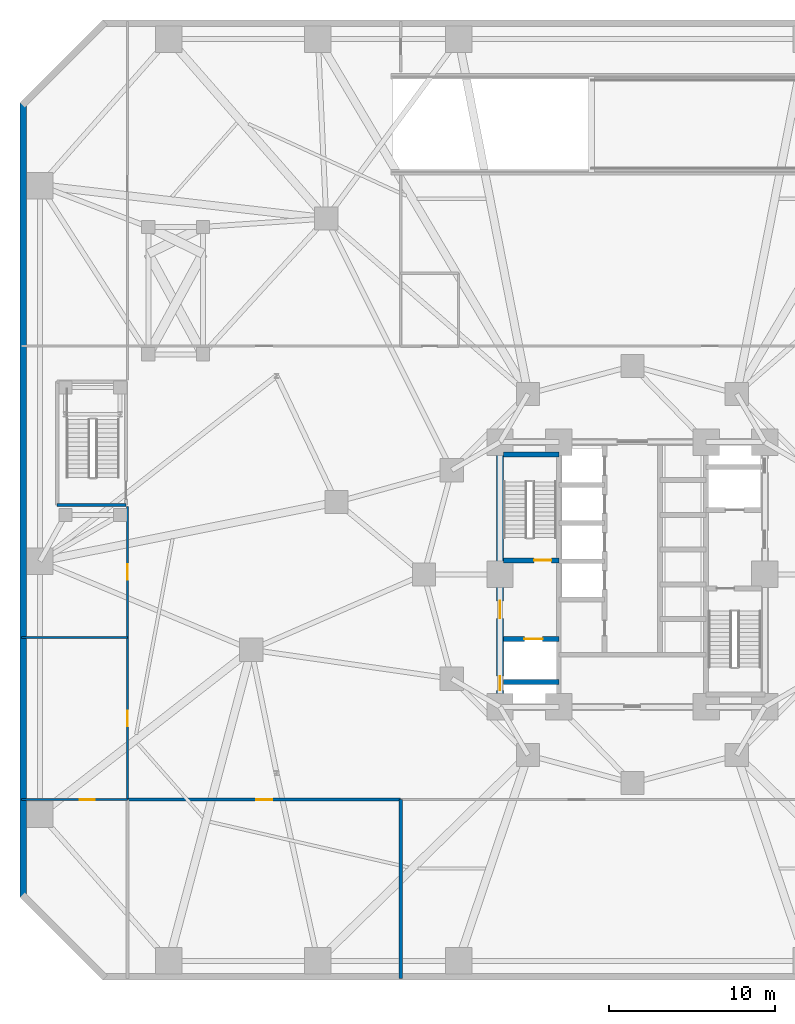
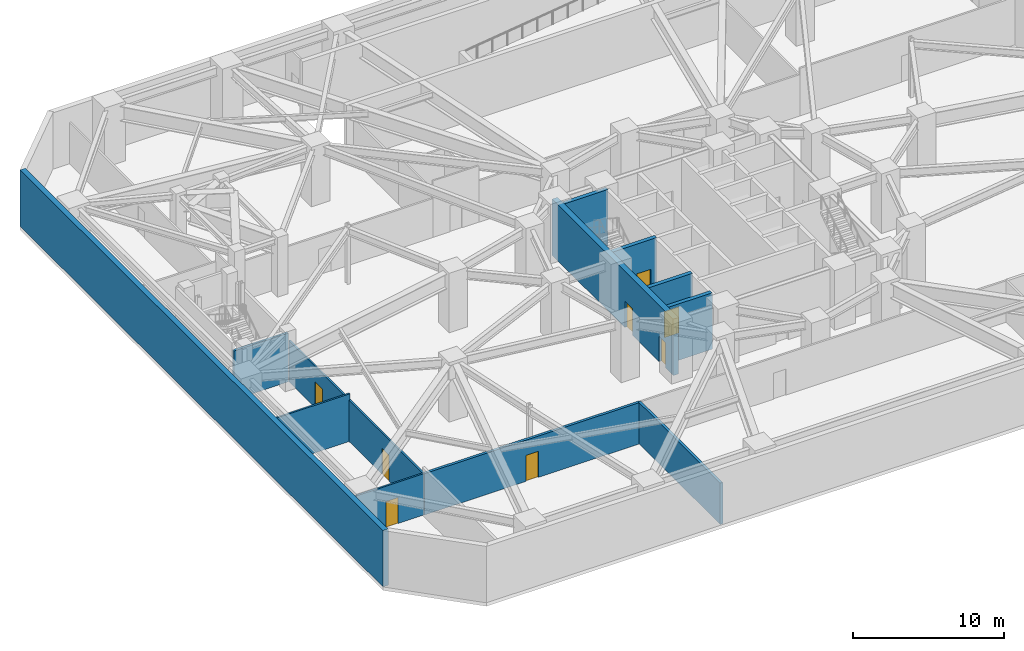
# One storey, part 11 of 18: 13 walls, 8 doors, 8 openings.
"""IFC4 building model written with IfcOpenShell, lengths in metres."""

from ifc_helpers import new_model, si_unit, direction, frame, frame_2d, origin, place, context, subcontext, project, spatial, rectangle, extrude, material, layer, layer_set, type_object, element, fill, save


model = new_model("IFC4")

# Units and contexts
model_context = context("Model", 3, precision=1e-05, world=origin(), true_north=direction((0.0, 1.0)))
body_context = subcontext(model_context, "Body", "Model", "MODEL_VIEW")
ifc_project = project(units=[si_unit("LENGTHUNIT", "METRE"), si_unit("AREAUNIT", "SQUARE_METRE"), si_unit("VOLUMEUNIT", "CUBIC_METRE"), si_unit("PLANEANGLEUNIT", "RADIAN"), si_unit("MASSUNIT", "GRAM", prefix="KILO")], contexts=[model_context])

# Site, building, storey
site_placement = place(None, origin())
site = spatial("IfcSite", under=ifc_project, at=site_placement, CompositionType="ELEMENT")
building_placement = place(site_placement, origin())
building = spatial("IfcBuilding", under=site, at=building_placement, Name="Terralouvre Media Tower", CompositionType="ELEMENT")
storey_placement = place(building_placement, frame((0.0, 0.0, -4.800048828125)))
storey = spatial("IfcBuildingStorey", under=building, at=storey_placement, Name="B01", CompositionType="ELEMENT", Elevation=-4.800048828125)

# Wall
ifc_material_1 = material(Name="Concrete C50/60", Category="concrete")
ifc_layer_1 = layer(ifc_material_1, 0.39990234375, Name="Basement Perimeter Retaining Wall EW-RC400")
ifc_layer_set_1 = layer_set([ifc_layer_1], Name="Concrete C50/60")
wall_type_1 = type_object("IfcWallType", Name="Basement Perimeter Retaining Wall EW-RC400", PredefinedType="USERDEFINED", material=ifc_layer_set_1)
wall_1_placement = place(storey_placement, frame((-36.800048828125, 28.5, 0.0), z_axis=(0.0, 0.0, 1.0), x_axis=(0.0, -1.0, 0.0)))
element("IfcWall", 1, at=wall_1_placement, inside=storey, type_object=wall_type_1, Name="B01 Perimeter Retaining Wall 07", ObjectType="RETAINING", PredefinedType="USERDEFINED", context=body_context, shape_type="SweptSolid", body=[
    extrude(rectangle(XDim=48.0, YDim=0.39990234375, at=frame_2d((24.0, 0.0))), origin(), (0.0, 0.0, 1.0), 4.550048828125),
])

# Wall, opening, door
ifc_material_2 = material(Name="Concrete C50/60", Category="concrete")
ifc_layer_2 = layer(ifc_material_2, 0.300048828125, Name="Core Internal Shaft Wall CW-300")
ifc_layer_set_2 = layer_set([ifc_layer_2], Name="Concrete C50/60")
wall_type_2 = type_object("IfcWallType", Name="Core Internal Shaft Wall CW-300", PredefinedType="SHEAR", material=ifc_layer_set_2)
wall_2_placement = place(storey_placement, frame((-7.7900390625, 0.85009765625, 0.0), z_axis=(0.0, 0.0, 1.0), x_axis=(1.0, 0.0, 0.0)))
wall_2 = element("IfcWall", 2, at=wall_2_placement, inside=storey, type_object=wall_type_2, Name="B01 Core Shaft Wall ST1D", PredefinedType="SHEAR", context=body_context, shape_type="SweptSolid", body=[
    extrude(rectangle(XDim=3.340087890625, YDim=0.300048828125, at=frame_2d((1.669921875, 0.0))), origin(), (0.0, 0.0, 1.0), 4.550048828125),
])
opening_1_placement = place(wall_2_placement, frame((1.85009765625, 0.0, 0.0)))
opening_1 = element("IfcOpeningElement", 3, at=opening_1_placement, cuts=wall_2, Name="Opening FD-01-105X215", PredefinedType="OPENING", context=body_context, shape_type="SweptSolid", body=[
    extrude(rectangle(XDim=1.050048828125, YDim=2.14990234375, at=frame_2d((0.52490234375, 1.074951171875))), frame((0.0, 0.159912109375, 0.0), z_axis=(0.0, -1.0, 0.0), x_axis=(1.0, 0.0, 0.0)), (0.0, 0.0, 1.0), 0.320068359375),
])
ifc_material_3 = material(Name="Galvanised steel fire-resisting leaf", Category="steel")
door_type_1 = type_object("IfcDoorType", Name="Stair and Firefighting Lobby Fire Door FD-01 (1050x2150)", OperationType="NOTDEFINED", PredefinedType="DOOR", material=ifc_material_3)
door_1_placement = place(opening_1_placement, origin())
door_1 = element("IfcDoor", 4, at=door_1_placement, inside=storey, type_object=door_type_1, Name="B01 ST-01 Exit Stair Door", OperationType="SINGLE_SWING_LEFT", OverallHeight=2.14990234375, OverallWidth=1.050048828125, PredefinedType="DOOR", context=body_context, shape_type="SweptSolid", body=[
    extrude(rectangle(XDim=1.050048828125, YDim=2.14990234375, at=frame_2d((0.52490234375, 1.074951171875))), frame((0.0, 0.02490234375, 0.0), z_axis=(0.0, -1.0, 0.0), x_axis=(1.0, 0.0, 0.0)), (0.0, 0.0, 1.0), 0.050048828125),
])
fill(opening_1, door_1)

# Wall
wall_3_placement = place(storey_placement, frame((-7.7900390625, 7.260009765625, 0.0), z_axis=(0.0, 0.0, 1.0), x_axis=(1.0, 0.0, 0.0)))
element("IfcWall", 5, at=wall_3_placement, inside=storey, type_object=wall_type_2, Name="B01 Core Shaft Wall ST1F", PredefinedType="SHEAR", context=body_context, shape_type="SweptSolid", body=[
    extrude(rectangle(XDim=3.340087890625, YDim=0.300048828125, at=frame_2d((1.669921875, 0.0))), origin(), (0.0, 0.0, 1.0), 4.550048828125),
])

# Wall, opening, door
wall_4_placement = place(storey_placement, frame((-7.7900390625, -3.89990234375, 0.0), z_axis=(0.0, 0.0, 1.0), x_axis=(1.0, 0.0, 0.0)))
wall_4 = element("IfcWall", 6, at=wall_4_placement, inside=storey, type_object=wall_type_2, Name="B01 Core Shaft Wall FF1N", PredefinedType="SHEAR", context=body_context, shape_type="SweptSolid", body=[
    extrude(rectangle(XDim=3.340087890625, YDim=0.300048828125, at=frame_2d((1.669921875, 0.0))), origin(), (0.0, 0.0, 1.0), 4.550048828125),
])
opening_2_placement = place(wall_4_placement, frame((1.27001953125, 0.0, 0.0)))
opening_2 = element("IfcOpeningElement", 7, at=opening_2_placement, cuts=wall_4, Name="Opening LD-FF", PredefinedType="OPENING", context=body_context, shape_type="SweptSolid", body=[
    extrude(rectangle(XDim=1.10009765625, YDim=2.10009765625, at=frame_2d((0.550048828125, 1.050048828125))), frame((0.0, 0.159912109375, 0.0), z_axis=(0.0, -1.0, 0.0), x_axis=(1.0, 0.0, 0.0)), (0.0, 0.0, 1.0), 0.320068359375),
])
ifc_material_4 = material(Name="Stainless steel 316 handrail and balustrade", Category="steel")
door_type_2 = type_object("IfcDoorType", Name="Firefighting Lift Sliding Landing Door LD-FF", OperationType="SLIDING_TO_LEFT", PredefinedType="DOOR", material=ifc_material_4)
door_2_placement = place(opening_2_placement, origin())
door_2 = element("IfcDoor", 8, at=door_2_placement, inside=storey, type_object=door_type_2, Name="B01 Firefighting Lift FFL-01 Landing Door", OperationType="SLIDING_TO_LEFT", OverallHeight=2.10009765625, OverallWidth=1.10009765625, PredefinedType="DOOR", context=body_context, shape_type="SweptSolid", body=[
    extrude(rectangle(XDim=1.10009765625, YDim=2.10009765625, at=frame_2d((0.550048828125, 1.050048828125))), frame((0.0, 0.02490234375, 0.0), z_axis=(0.0, -1.0, 0.0), x_axis=(1.0, 0.0, 0.0)), (0.0, 0.0, 1.0), 0.050048828125),
])
fill(opening_2, door_2)

# Wall
wall_5_placement = place(storey_placement, frame((-7.7900390625, -6.5, 0.0), z_axis=(0.0, 0.0, 1.0), x_axis=(1.0, 0.0, 0.0)))
element("IfcWall", 9, at=wall_5_placement, inside=storey, type_object=wall_type_2, Name="B01 Core Shaft Wall FF1S", PredefinedType="SHEAR", context=body_context, shape_type="SweptSolid", body=[
    extrude(rectangle(XDim=3.340087890625, YDim=0.300048828125, at=frame_2d((1.669921875, 0.0))), origin(), (0.0, 0.0, 1.0), 4.550048828125),
])

# Wall, openings, doors
ifc_material_5 = material(Name="Concrete C60/75", Category="concrete")
ifc_layer_3 = layer(ifc_material_5, 0.419921875, Name="Core Reinforced Concrete Shear Wall CW-420")
ifc_layer_set_3 = layer_set([ifc_layer_3], Name="Concrete C60/75")
wall_type_3 = type_object("IfcWallType", Name="Core Reinforced Concrete Shear Wall CW-420", PredefinedType="SHEAR", material=ifc_layer_set_3)
wall_6_placement = place(storey_placement, frame((-8.0, -8.0, 0.0), z_axis=(0.0, 0.0, 1.0), x_axis=(0.0, 1.0, 0.0)))
wall_6 = element("IfcWall", 10, at=wall_6_placement, inside=storey, type_object=wall_type_3, Name="B01 W Core Shear Wall", PredefinedType="SHEAR", context=body_context, shape_type="SweptSolid", body=[
    extrude(rectangle(XDim=16.0, YDim=0.419921875, at=frame_2d((8.0, 0.0))), origin(), (0.0, 0.0, 1.0), 4.550048828125),
])
opening_3_placement = place(wall_6_placement, frame((1.001708984375, 0.0, 0.0)))
opening_3 = element("IfcOpeningElement", 11, at=opening_3_placement, cuts=wall_6, Name="Opening TD-R1", PredefinedType="OPENING", context=body_context, shape_type="SweptSolid", body=[
    extrude(rectangle(XDim=0.85009765625, YDim=2.02001953125, at=frame_2d((0.425048828125, 1.010009765625))), frame((0.0, 0.219970703125, 0.0), z_axis=(0.0, -1.0, 0.0), x_axis=(1.0, 0.0, 0.0)), (0.0, 0.0, 1.0), 0.43994140625),
])
opening_4_placement = place(wall_6_placement, frame((5.35009765625, 0.0, 0.0)))
opening_4 = element("IfcOpeningElement", 12, at=opening_4_placement, cuts=wall_6, Name="Opening FD-01-105X215", PredefinedType="OPENING", context=body_context, shape_type="SweptSolid", body=[
    extrude(rectangle(XDim=1.050048828125, YDim=2.14990234375, at=frame_2d((0.52490234375, 1.074951171875))), frame((0.0, 0.219970703125, 0.0), z_axis=(0.0, -1.0, 0.0), x_axis=(1.0, 0.0, 0.0)), (0.0, 0.0, 1.0), 0.43994140625),
])
ifc_material_6 = material(Name="Galvanised steel fire-resisting leaf", Category="steel")
door_type_3 = type_object("IfcDoorType", Name="Riser Inspection Access Trapdoor TD-R1", OperationType="NOTDEFINED", PredefinedType="TRAPDOOR", material=ifc_material_6)
door_3_placement = place(opening_3_placement, origin())
door_3 = element("IfcDoor", 13, at=door_3_placement, inside=storey, type_object=door_type_3, Name="B01 Wet Riser Access Trapdoor", OperationType="SINGLE_SWING_LEFT", OverallHeight=2.02001953125, OverallWidth=0.85009765625, PredefinedType="TRAPDOOR", context=body_context, shape_type="SweptSolid", body=[
    extrude(rectangle(XDim=0.85009765625, YDim=2.02001953125, at=frame_2d((0.425048828125, 1.010009765625))), frame((0.0, 0.02490234375, 0.0), z_axis=(0.0, -1.0, 0.0), x_axis=(1.0, 0.0, 0.0)), (0.0, 0.0, 1.0), 0.050048828125),
])
fill(opening_3, door_3)
door_4_placement = place(opening_4_placement, origin())
door_4 = element("IfcDoor", 14, at=door_4_placement, inside=storey, type_object=door_type_1, Name="B01 West Firefighting Lobby Entry Door", OperationType="SINGLE_SWING_RIGHT", OverallHeight=2.14990234375, OverallWidth=1.050048828125, PredefinedType="DOOR", context=body_context, shape_type="SweptSolid", body=[
    extrude(rectangle(XDim=1.050048828125, YDim=2.14990234375, at=frame_2d((0.52490234375, 1.074951171875))), frame((0.0, 0.02490234375, 0.0), z_axis=(0.0, -1.0, 0.0), x_axis=(1.0, 0.0, 0.0)), (0.0, 0.0, 1.0), 0.050048828125),
])
fill(opening_4, door_4)

# Wall
ifc_material_7 = material(Name="Fire-rated gypsum board drywall partition")
ifc_layer_4 = layer(ifc_material_7, 0.199951171875, Name="Fire-Rated Shaft and Lobby Partition FW-200")
ifc_layer_set_4 = layer_set([ifc_layer_4], Name="Fire-rated gypsum board drywall partition")
wall_type_4 = type_object("IfcWallType", Name="Fire-Rated Shaft and Lobby Partition FW-200", PredefinedType="SOLIDWALL", material=ifc_layer_set_4)
wall_7_placement = place(storey_placement, frame((-34.75, 4.199951171875, 0.0), z_axis=(0.0, 0.0, 1.0), x_axis=(1.0, 0.0, 0.0)))
element("IfcWall", 15, at=wall_7_placement, inside=storey, type_object=wall_type_4, Name="B01 ST03 Stair Shaft Wall S", PredefinedType="SOLIDWALL", context=body_context, shape_type="SweptSolid", body=[
    extrude(rectangle(XDim=4.14990234375, YDim=0.199951171875, at=frame_2d((2.074951171875, 0.0))), origin(), (0.0, 0.0, 1.0), 3.93505859375),
])

# Wall, opening, door
wall_8_placement = place(storey_placement, frame((-30.5, -13.60009765625, 0.0), z_axis=(0.0, 0.0, 1.0), x_axis=(1.0, 0.0, 0.0)))
wall_8 = element("IfcWall", 16, at=wall_8_placement, inside=storey, type_object=wall_type_4, Name="B01 Interior Partition 002", PredefinedType="SOLIDWALL", context=body_context, shape_type="SweptSolid", body=[
    extrude(rectangle(XDim=16.5, YDim=0.199951171875, at=frame_2d((8.25, 0.0))), origin(), (0.0, 0.0, 1.0), 3.3349609375),
])
opening_5_placement = place(wall_8_placement, frame((7.77490234375, 0.0, 0.0)))
opening_5 = element("IfcOpeningElement", 17, at=opening_5_placement, cuts=wall_8, Name="Opening FD-02-95X210", PredefinedType="OPENING", context=body_context, shape_type="SweptSolid", body=[
    extrude(rectangle(XDim=0.949951171875, YDim=2.10009765625, at=frame_2d((0.47509765625, 1.050048828125))), frame((0.0, 0.10986328125, 0.0), z_axis=(0.0, -1.0, 0.0), x_axis=(1.0, 0.0, 0.0)), (0.0, 0.0, 1.0), 0.219970703125),
])
ifc_material_8 = material(Name="Galvanised steel fire-resisting leaf", Category="steel")
door_type_4 = type_object("IfcDoorType", Name="Plant and Riser Fire Door FD-02 (950x2100)", OperationType="NOTDEFINED", PredefinedType="DOOR", material=ifc_material_8)
door_5_placement = place(opening_5_placement, origin())
door_5 = element("IfcDoor", 18, at=door_5_placement, inside=storey, type_object=door_type_4, Name="B01 B01 Broadcast UPS and Transformer Plant Room Door", OperationType="SINGLE_SWING_LEFT", OverallHeight=2.10009765625, OverallWidth=0.949951171875, PredefinedType="DOOR", context=body_context, shape_type="SweptSolid", body=[
    extrude(rectangle(XDim=0.949951171875, YDim=2.10009765625, at=frame_2d((0.47509765625, 1.050048828125))), frame((0.0, 0.02490234375, 0.0), z_axis=(0.0, -1.0, 0.0), x_axis=(1.0, 0.0, 0.0)), (0.0, 0.0, 1.0), 0.050048828125),
])
fill(opening_5, door_5)

# Wall
wall_9_placement = place(storey_placement, frame((-14.0, -24.419921875, 0.0), z_axis=(0.0, 0.0, 1.0), x_axis=(0.0, 1.0, 0.0)))
element("IfcWall", 19, at=wall_9_placement, inside=storey, type_object=wall_type_4, Name="B01 Interior Partition 017", PredefinedType="SOLIDWALL", context=body_context, shape_type="SweptSolid", body=[
    extrude(rectangle(XDim=10.81982421875, YDim=0.199951171875, at=frame_2d((5.409912109375, 0.0))), origin(), (0.0, 0.0, 1.0), 3.3349609375),
])

# Wall, opening, door
ifc_material_9 = material(Name="Fire-rated gypsum board drywall partition")
ifc_layer_5 = layer(ifc_material_9, 0.135009765625, Name="Newsroom Acoustic Partition PT-135")
ifc_layer_set_5 = layer_set([ifc_layer_5], Name="Fire-rated gypsum board drywall partition")
wall_type_5 = type_object("IfcWallType", Name="Newsroom Acoustic Partition PT-135", PredefinedType="PARTITIONING", material=ifc_layer_set_5)
wall_10_placement = place(storey_placement, frame((-30.5, -3.800048828125, 0.0), z_axis=(0.0, 0.0, 1.0), x_axis=(0.0, -1.0, 0.0)))
wall_10 = element("IfcWall", 20, at=wall_10_placement, inside=storey, type_object=wall_type_5, Name="B01 Interior Partition 001", PredefinedType="PARTITIONING", context=body_context, shape_type="SweptSolid", body=[
    extrude(rectangle(XDim=9.800048828125, YDim=0.135009765625, at=frame_2d((4.89990234375, 0.0))), origin(), (0.0, 0.0, 1.0), 3.3349609375),
])
opening_6_placement = place(wall_10_placement, frame((4.425048828125, 0.0, 0.0)))
opening_6 = element("IfcOpeningElement", 21, at=opening_6_placement, cuts=wall_10, Name="Opening ID-02-95X210", PredefinedType="OPENING", context=body_context, shape_type="SweptSolid", body=[
    extrude(rectangle(XDim=0.949951171875, YDim=2.10009765625, at=frame_2d((0.47509765625, 1.050048828125))), frame((0.0, 0.077392578125, 0.0), z_axis=(0.0, -1.0, 0.0), x_axis=(1.0, 0.0, 0.0)), (0.0, 0.0, 1.0), 0.155029296875),
])
ifc_material_10 = material(Name="Engineered hardwood acoustic timber leaf", Category="wood")
door_type_5 = type_object("IfcDoorType", Name="Office and Meeting Room Door ID-02 (950x2100)", OperationType="NOTDEFINED", PredefinedType="DOOR", material=ifc_material_10)
door_6_placement = place(opening_6_placement, origin())
door_6 = element("IfcDoor", 22, at=door_6_placement, inside=storey, type_object=door_type_5, Name="B01 B01 Basement Technical Equipment Store 1 Door", OperationType="SINGLE_SWING_RIGHT", OverallHeight=2.10009765625, OverallWidth=0.949951171875, PredefinedType="DOOR", context=body_context, shape_type="SweptSolid", body=[
    extrude(rectangle(XDim=0.949951171875, YDim=2.10009765625, at=frame_2d((0.47509765625, 1.050048828125))), frame((0.0, 0.02490234375, 0.0), z_axis=(0.0, -1.0, 0.0), x_axis=(1.0, 0.0, 0.0)), (0.0, 0.0, 1.0), 0.050048828125),
])
fill(opening_6, door_6)

wall_11_placement = place(storey_placement, frame((-30.5, 4.10009765625, 0.0), z_axis=(0.0, 0.0, 1.0), x_axis=(0.0, -1.0, 0.0)))
wall_11 = element("IfcWall", 23, at=wall_11_placement, inside=storey, type_object=wall_type_5, Name="B01 Interior Partition 012", PredefinedType="PARTITIONING", context=body_context, shape_type="SweptSolid", body=[
    extrude(rectangle(XDim=7.900146484375, YDim=0.135009765625, at=frame_2d((3.9501953125, 0.0))), origin(), (0.0, 0.0, 1.0), 3.3349609375),
])
opening_7_placement = place(wall_11_placement, frame((3.47509765625, 0.0, 0.0)))
opening_7 = element("IfcOpeningElement", 24, at=opening_7_placement, cuts=wall_11, Name="Opening ID-02-95X210", PredefinedType="OPENING", context=body_context, shape_type="SweptSolid", body=[
    extrude(rectangle(XDim=0.949951171875, YDim=2.10009765625, at=frame_2d((0.47509765625, 1.050048828125))), frame((0.0, 0.077392578125, 0.0), z_axis=(0.0, -1.0, 0.0), x_axis=(1.0, 0.0, 0.0)), (0.0, 0.0, 1.0), 0.155029296875),
])
door_7_placement = place(opening_7_placement, origin())
door_7 = element("IfcDoor", 25, at=door_7_placement, inside=storey, type_object=door_type_5, Name="B01 B01 Basement Technical Equipment Store 18 Door", OperationType="SINGLE_SWING_RIGHT", OverallHeight=2.10009765625, OverallWidth=0.949951171875, PredefinedType="DOOR", context=body_context, shape_type="SweptSolid", body=[
    extrude(rectangle(XDim=0.949951171875, YDim=2.10009765625, at=frame_2d((0.47509765625, 1.050048828125))), frame((0.0, 0.02490234375, 0.0), z_axis=(0.0, -1.0, 0.0), x_axis=(1.0, 0.0, 0.0)), (0.0, 0.0, 1.0), 0.050048828125),
])
fill(opening_7, door_7)

wall_12_placement = place(storey_placement, frame((-36.919921875, -13.60009765625, 0.0), z_axis=(0.0, 0.0, 1.0), x_axis=(1.0, 0.0, 0.0)))
wall_12 = element("IfcWall", 26, at=wall_12_placement, inside=storey, type_object=wall_type_5, Name="B01 Interior Partition 014", PredefinedType="PARTITIONING", context=body_context, shape_type="SweptSolid", body=[
    extrude(rectangle(XDim=6.419921875, YDim=0.135009765625, at=frame_2d((3.2099609375, 0.0))), origin(), (0.0, 0.0, 1.0), 3.3349609375),
])
opening_8_placement = place(wall_12_placement, frame((3.5205078125, 0.0, 0.0)))
opening_8 = element("IfcOpeningElement", 27, at=opening_8_placement, cuts=wall_12, Name="Opening FD-05-92X210", PredefinedType="OPENING", context=body_context, shape_type="SweptSolid", body=[
    extrude(rectangle(XDim=0.919921875, YDim=2.10009765625, at=frame_2d((0.4599609375, 1.050048828125))), frame((0.0, 0.077392578125, 0.0), z_axis=(0.0, -1.0, 0.0), x_axis=(1.0, 0.0, 0.0)), (0.0, 0.0, 1.0), 0.155029296875),
])
ifc_material_11 = material(Name="Galvanised steel fire-resisting leaf", Category="steel")
door_type_6 = type_object("IfcDoorType", Name="Core Accessible Closet Fire Door FD-05 (920x2100)", OperationType="NOTDEFINED", PredefinedType="DOOR", material=ifc_material_11)
door_8_placement = place(opening_8_placement, origin())
door_8 = element("IfcDoor", 28, at=door_8_placement, inside=storey, type_object=door_type_6, Name="B01 B01 Broadcast UPS and Transformer Plant Room Door", OperationType="SINGLE_SWING_LEFT", OverallHeight=2.10009765625, OverallWidth=0.919921875, PredefinedType="DOOR", context=body_context, shape_type="SweptSolid", body=[
    extrude(rectangle(XDim=0.919921875, YDim=2.10009765625, at=frame_2d((0.4599609375, 1.050048828125))), frame((0.0, 0.02490234375, 0.0), z_axis=(0.0, -1.0, 0.0), x_axis=(1.0, 0.0, 0.0)), (0.0, 0.0, 1.0), 0.050048828125),
])
fill(opening_8, door_8)

# Wall
wall_13_placement = place(storey_placement, frame((-30.5, -3.800048828125, 0.0), z_axis=(0.0, 0.0, 1.0), x_axis=(-1.0, 0.0, 0.0)))
element("IfcWall", 29, at=wall_13_placement, inside=storey, type_object=wall_type_5, Name="B01 Interior Partition 015", PredefinedType="PARTITIONING", context=body_context, shape_type="SweptSolid", body=[
    extrude(rectangle(XDim=6.419921875, YDim=0.135009765625, at=frame_2d((3.2099609375, 0.0))), origin(), (0.0, 0.0, 1.0), 3.8349609375),
])

save(model, "model.ifc")
